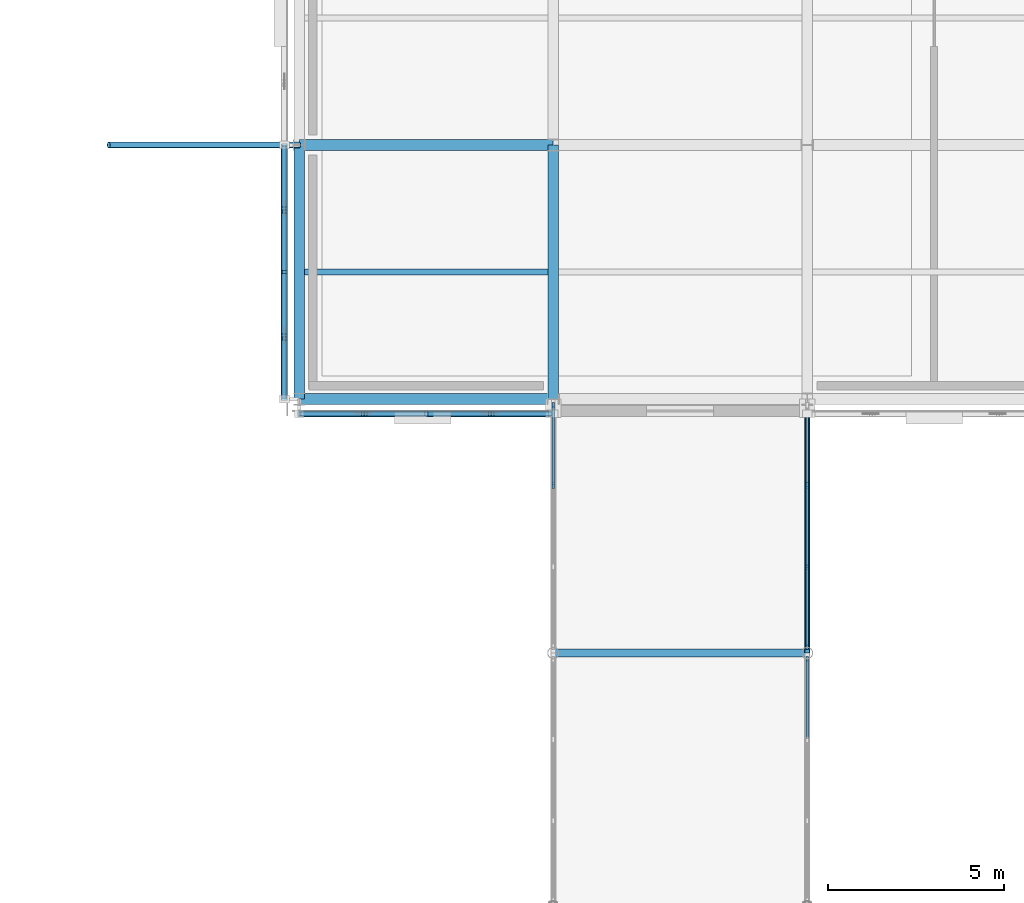
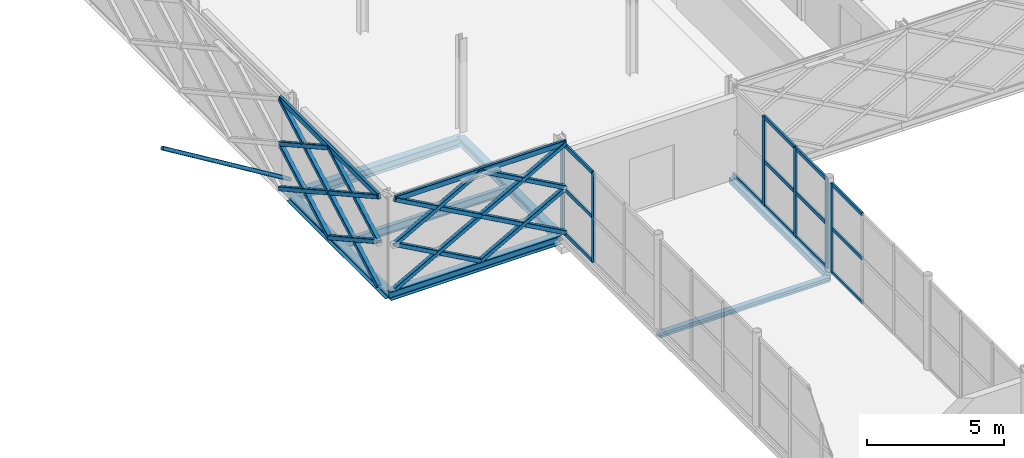
# One storey, part 34 of 146: 46 members, 7 beams, 3 elements without a shape of their own.
"""IFC4 building model written with IfcOpenShell, lengths in metres."""

from ifc_helpers import new_model, si_unit, direction, frame, origin, origin_2d, place, context, subcontext, project, spatial, rectangle, hollow_rectangle, hollow_circle, i_section, extrude, material, material_profile, profile_set, type_object, element, aggregate, save


model = new_model("IFC4")

# Units and contexts
model_context = context("Model", 3, precision=1e-05, world=origin(), true_north=direction((0.0, 1.0)))
body_context = subcontext(model_context, "Body", "Model", "MODEL_VIEW")
ifc_project = project(units=[si_unit("LENGTHUNIT", "METRE"), si_unit("AREAUNIT", "SQUARE_METRE"), si_unit("VOLUMEUNIT", "CUBIC_METRE"), si_unit("PLANEANGLEUNIT", "RADIAN"), si_unit("MASSUNIT", "GRAM", prefix="KILO")], contexts=[model_context])

# Site, building, storey
site_placement = place(None, origin())
site = spatial("IfcSite", under=ifc_project, at=site_placement, CompositionType="ELEMENT")
building_placement = place(site_placement, origin())
building = spatial("IfcBuilding", under=site, at=building_placement, Name="Zlatovets Crest Museum", CompositionType="ELEMENT")
storey_placement = place(building_placement, frame((0.0, 0.0, 4.5)))
storey = spatial("IfcBuildingStorey", under=building, at=storey_placement, Name="L01", CompositionType="ELEMENT", Elevation=4.5)

# Beams
ifc_material_1 = material(Name="Structural steel S355J2", Category="steel")
ifc_material_profile_1 = material_profile(ifc_material_1, i_section(OverallWidth=0.300048828125, OverallDepth=0.389892578125, WebThickness=0.010986328125, FlangeThickness=0.01904296875, FilletRadius=0.027099609375, at=origin_2d()), Name="HEA 400")
ifc_profile_set_1 = profile_set([ifc_material_profile_1], Name="Structural steel S355J2")
beam_type_1 = type_object("IfcBeamType", Name="Beam_B-02", PredefinedType="BEAM", material=ifc_profile_set_1)
for number, where, z_axis, x_axis, name in (
    (1, (7.199951171875, 50.39990234375, -0.4150390625), (1.0, 0.0, 0.0), (0.0, 1.0, 0.0), "V4 L01 Primary Girder B-02"),
    (2, (7.199951171875, 57.60009765625, -0.4150390625), (1.0, 0.0, 0.0), (0.0, 1.0, 0.0), "V4 L01 Primary Girder B-02"),
):
    element("IfcBeam", number, at=place(storey_placement, frame(where, z_axis=z_axis, x_axis=x_axis)), inside=storey, type_object=beam_type_1, Name=name, PredefinedType="BEAM", context=body_context, shape_type="SweptSolid", body=[
        extrude(i_section(OverallWidth=0.300048828125, OverallDepth=0.389892578125, WebThickness=0.010986328125, FlangeThickness=0.01904296875, FilletRadius=0.027099609375, at=origin_2d()), origin(), (0.0, 0.0, 1.0), 7.199951171875),
    ])
ifc_material_profile_2 = material_profile(ifc_material_1, i_section(OverallWidth=0.300048828125, OverallDepth=0.35009765625, WebThickness=0.010009765625, FlangeThickness=0.017578125, FilletRadius=0.027099609375, at=origin_2d()), Name="HEA 360")
ifc_profile_set_2 = profile_set([ifc_material_profile_2], Name="Structural steel S355J2")
beam_type_2 = type_object("IfcBeamType", Name="Beam_B-03", PredefinedType="BEAM", material=ifc_profile_set_2)
for number, where, z_axis, x_axis, name in (
    (3, (7.199951171875, 50.39990234375, -0.39501953125), (0.0, 1.0, 0.0), (-1.0, 0.0, 0.0), "V4 L01 Grid Beam B-03"),
    (4, (14.39990234375, 50.39990234375, -0.39501953125), (0.0, 1.0, 0.0), (-1.0, 0.0, 0.0), "V4 L01 Grid Beam B-03"),
):
    element("IfcBeam", number, at=place(storey_placement, frame(where, z_axis=z_axis, x_axis=x_axis)), inside=storey, type_object=beam_type_2, Name=name, PredefinedType="BEAM", context=body_context, shape_type="SweptSolid", body=[
        extrude(i_section(OverallWidth=0.300048828125, OverallDepth=0.35009765625, WebThickness=0.010009765625, FlangeThickness=0.017578125, FilletRadius=0.027099609375, at=origin_2d()), origin(), (0.0, 0.0, 1.0), 7.2001953125),
    ])
ifc_material_profile_3 = material_profile(ifc_material_1, i_section(OverallWidth=0.219970703125, OverallDepth=0.2099609375, WebThickness=0.007080078125, FlangeThickness=0.010986328125, FilletRadius=0.01806640625, at=origin_2d()), Name="HEA 220")
ifc_profile_set_3 = profile_set([ifc_material_profile_3], Name="Structural steel S355J2")
beam_type_3 = type_object("IfcBeamType", Name="Beam_B-14", PredefinedType="BEAM", material=ifc_profile_set_3)
beam_1_placement = place(storey_placement, frame((14.39990234375, 43.199951171875, -0.35009765625), z_axis=(1.0, 0.0, 0.0), x_axis=(0.0, 1.0, 0.0)))
element("IfcBeam", 5, at=beam_1_placement, inside=storey, type_object=beam_type_3, Name="West Hillside Glazed Link Bridge L01 Cross Beam", PredefinedType="BEAM", context=body_context, shape_type="SweptSolid", body=[
    extrude(i_section(OverallWidth=0.219970703125, OverallDepth=0.2099609375, WebThickness=0.007080078125, FlangeThickness=0.010986328125, FilletRadius=0.01806640625, at=origin_2d()), origin(), (0.0, 0.0, 1.0), 7.2001953125),
])
ifc_material_profile_4 = material_profile(ifc_material_1, hollow_rectangle(XDim=0.159912109375, YDim=0.260009765625, WallThickness=0.010009765625, InnerFilletRadius=0.010009765625, OuterFilletRadius=0.02001953125, at=origin_2d()), Name="RHS 160x260x10.0")
ifc_profile_set_4 = profile_set([ifc_material_profile_4], Name="Structural steel S355J2")
beam_type_4 = type_object("IfcBeamType", Name="Beam_BRG-02", PredefinedType="BEAM", material=ifc_profile_set_4)
beam_2_placement = place(storey_placement, frame((21.60009765625, 43.199951171875, -0.35009765625), z_axis=(0.0, 1.0, 0.0), x_axis=(-1.0, 0.0, 0.0)))
element("IfcBeam", 6, at=beam_2_placement, inside=storey, type_object=beam_type_4, Name="West Hillside Glazed Link Bridge L01 Stringer Beam", PredefinedType="BEAM", context=body_context, shape_type="SweptSolid", body=[
    extrude(hollow_rectangle(XDim=0.159912109375, YDim=0.260009765625, WallThickness=0.010009765625, InnerFilletRadius=0.010009765625, OuterFilletRadius=0.02001953125, at=origin_2d()), origin(), (0.0, 0.0, 1.0), 7.199951171875),
])
ifc_material_profile_5 = material_profile(ifc_material_1, i_section(OverallWidth=0.169921875, OverallDepth=0.360107421875, WebThickness=0.008056640625, FlangeThickness=0.0126953125, FilletRadius=0.01806640625, at=origin_2d()), Name="IPE 360")
ifc_profile_set_5 = profile_set([ifc_material_profile_5], Name="Structural steel S355J2")
beam_type_5 = type_object("IfcBeamType", Name="Beam_J-01", PredefinedType="JOIST", material=ifc_profile_set_5)
beam_3_placement = place(storey_placement, frame((7.35009765625, 54.0, -0.39990234375), z_axis=(1.0, 0.0, 0.0), x_axis=(0.0, 1.0, 0.0)))
element("IfcBeam", 7, at=beam_3_placement, inside=storey, type_object=beam_type_5, Name="V4 L01 Composite Joist J-01", PredefinedType="JOIST", context=body_context, shape_type="SweptSolid", body=[
    extrude(i_section(OverallWidth=0.169921875, OverallDepth=0.360107421875, WebThickness=0.008056640625, FlangeThickness=0.0126953125, FilletRadius=0.01806640625, at=origin_2d()), origin(), (0.0, 0.0, 1.0), 6.89990234375),
])

# Curtain wall, members
ifc_material_2 = material(Name="Bronze-anodised aluminium and low-E triple glass", Category="aluminium")
curtain_wall_type = type_object("IfcCurtainWallType", Name="CW_CW-BR2-L01-S69", PredefinedType="NOTDEFINED", material=ifc_material_2)
curtain_wall_1_placement = place(storey_placement, origin())
curtain_wall_1 = element("IfcCurtainWall", 8, at=curtain_wall_1_placement, inside=storey, type_object=curtain_wall_type, Name="West Hillside Glazed Link Bridge L01 Glazed Bridge Curtain Wall", PredefinedType="NOTDEFINED")
ifc_material_3 = material(Name="Bronze-anodised aluminium EN AW-6060", Category="aluminium")
ifc_material_profile_6 = material_profile(ifc_material_3, rectangle(XDim=0.080078125, YDim=0.159912109375, at=origin_2d()), Name="ALU 80x160")
ifc_profile_set_6 = profile_set([ifc_material_profile_6], Name="Bronze-anodised aluminium EN AW-6060")
member_type_1 = type_object("IfcMemberType", Name="CWMull_M1", PredefinedType="MULLION", material=ifc_profile_set_6)
member_1_placement = place(storey_placement, frame((14.39990234375, 47.949951171875, 0.0), z_axis=(0.0, 0.0, 1.0), x_axis=(-1.0, 0.0, 0.0)))
member_1 = element("IfcMember", 9, at=member_1_placement, type_object=member_type_1, Name="CW-BR2-L01-S69 mullion 3", PredefinedType="MULLION", context=body_context, shape_type="SweptSolid", body=[
    extrude(rectangle(XDim=0.080078125, YDim=0.159912109375, at=origin_2d()), origin(), (0.0, 0.0, 1.0), 3.97998046875),
])
member_2_placement = place(storey_placement, frame((14.39990234375, 50.219970703125, 0.0), z_axis=(0.0, 0.0, 1.0), x_axis=(-1.0, 0.0, 0.0)))
member_2 = element("IfcMember", 10, at=member_2_placement, type_object=member_type_1, Name="CW-BR2-L01-S69 mullion 4", PredefinedType="MULLION", context=body_context, shape_type="SweptSolid", body=[
    extrude(rectangle(XDim=0.080078125, YDim=0.159912109375, at=origin_2d()), origin(), (0.0, 0.0, 1.0), 3.97998046875),
])

# Curtain wall, member
curtain_wall_2_placement = place(storey_placement, origin())
curtain_wall_2 = element("IfcCurtainWall", 11, at=curtain_wall_2_placement, inside=storey, type_object=curtain_wall_type, Name="West Hillside Glazed Link Bridge L01 Glazed Bridge Curtain Wall", PredefinedType="NOTDEFINED")
member_3_placement = place(storey_placement, frame((21.60009765625, 43.02001953125, 0.0), z_axis=(0.0, 0.0, 1.0), x_axis=(-1.0, 0.0, 0.0)))
member_3 = element("IfcMember", 12, at=member_3_placement, type_object=member_type_1, Name="CW-BR2-L01-S69 mullion 4", PredefinedType="MULLION", context=body_context, shape_type="SweptSolid", body=[
    extrude(rectangle(XDim=0.080078125, YDim=0.159912109375, at=origin_2d()), origin(), (0.0, 0.0, 1.0), 3.97998046875),
])

# Curtain wall, members
curtain_wall_3_placement = place(storey_placement, origin())
curtain_wall_3 = element("IfcCurtainWall", 13, at=curtain_wall_3_placement, inside=storey, type_object=curtain_wall_type, Name="West Hillside Glazed Link Bridge L01 Glazed Bridge Curtain Wall", PredefinedType="NOTDEFINED")
member_4_placement = place(storey_placement, frame((21.60009765625, 43.3798828125, 0.0), z_axis=(0.0, 0.0, 1.0), x_axis=(-1.0, 0.0, 0.0)))
member_4 = element("IfcMember", 14, at=member_4_placement, type_object=member_type_1, Name="CW-BR2-L01-S69 mullion 1", PredefinedType="MULLION", context=body_context, shape_type="SweptSolid", body=[
    extrude(rectangle(XDim=0.080078125, YDim=0.159912109375, at=origin_2d()), origin(), (0.0, 0.0, 1.0), 3.97998046875),
])
member_5_placement = place(storey_placement, frame((21.60009765625, 45.64990234375, 0.0), z_axis=(0.0, 0.0, 1.0), x_axis=(-1.0, 0.0, 0.0)))
member_5 = element("IfcMember", 15, at=member_5_placement, type_object=member_type_1, Name="CW-BR2-L01-S69 mullion 2", PredefinedType="MULLION", context=body_context, shape_type="SweptSolid", body=[
    extrude(rectangle(XDim=0.080078125, YDim=0.159912109375, at=origin_2d()), origin(), (0.0, 0.0, 1.0), 3.97998046875),
])
member_6_placement = place(storey_placement, frame((21.60009765625, 47.949951171875, 0.0), z_axis=(0.0, 0.0, 1.0), x_axis=(-1.0, 0.0, 0.0)))
member_6 = element("IfcMember", 16, at=member_6_placement, type_object=member_type_1, Name="CW-BR2-L01-S69 mullion 3", PredefinedType="MULLION", context=body_context, shape_type="SweptSolid", body=[
    extrude(rectangle(XDim=0.080078125, YDim=0.159912109375, at=origin_2d()), origin(), (0.0, 0.0, 1.0), 3.97998046875),
])

# Member
ifc_material_profile_7 = material_profile(ifc_material_3, rectangle(XDim=0.080078125, YDim=0.159912109375, at=origin_2d()), Name="ALU 80x160")
ifc_profile_set_7 = profile_set([ifc_material_profile_7], Name="Bronze-anodised aluminium EN AW-6060")
member_type_2 = type_object("IfcMemberType", Name="CWTrans_T1", PredefinedType="USERDEFINED", material=ifc_profile_set_7)
member_7_placement = place(storey_placement, frame((14.39990234375, 47.97998046875, 0.030029296875), z_axis=(0.0, 1.0, 0.0), x_axis=(-1.0, 0.0, 0.0)))
member_7 = element("IfcMember", 17, at=member_7_placement, type_object=member_type_2, Name="CW-BR2-L01-S69 transom 3.1", ObjectType="TRANSOM", PredefinedType="USERDEFINED", context=body_context, shape_type="SweptSolid", body=[
    extrude(rectangle(XDim=0.080078125, YDim=0.159912109375, at=origin_2d()), origin(), (0.0, 0.0, 1.0), 2.2099609375),
])

member_8_placement = place(storey_placement, frame((14.39990234375, 47.97998046875, 1.989990234375), z_axis=(0.0, 1.0, 0.0), x_axis=(-1.0, 0.0, 0.0)))
member_8 = element("IfcMember", 18, at=member_8_placement, type_object=member_type_2, Name="CW-BR2-L01-S69 transom 3.2", ObjectType="TRANSOM", PredefinedType="USERDEFINED", context=body_context, shape_type="SweptSolid", body=[
    extrude(rectangle(XDim=0.080078125, YDim=0.159912109375, at=origin_2d()), origin(), (0.0, 0.0, 1.0), 2.2099609375),
])

member_9_placement = place(storey_placement, frame((14.39990234375, 47.97998046875, 3.949951171875), z_axis=(0.0, 1.0, 0.0), x_axis=(-1.0, 0.0, 0.0)))
member_9 = element("IfcMember", 19, at=member_9_placement, type_object=member_type_2, Name="CW-BR2-L01-S69 transom 3.3", ObjectType="TRANSOM", PredefinedType="USERDEFINED", context=body_context, shape_type="SweptSolid", body=[
    extrude(rectangle(XDim=0.080078125, YDim=0.159912109375, at=origin_2d()), origin(), (0.0, 0.0, 1.0), 2.2099609375),
])

aggregate(curtain_wall_1, [member_1, member_2, member_7, member_8, member_9])

member_10_placement = place(storey_placement, frame((21.60009765625, 40.780029296875, 0.030029296875), z_axis=(0.0, 1.0, 0.0), x_axis=(-1.0, 0.0, 0.0)))
member_10 = element("IfcMember", 20, at=member_10_placement, type_object=member_type_2, Name="CW-BR2-L01-S69 transom 3.1", ObjectType="TRANSOM", PredefinedType="USERDEFINED", context=body_context, shape_type="SweptSolid", body=[
    extrude(rectangle(XDim=0.080078125, YDim=0.159912109375, at=origin_2d()), origin(), (0.0, 0.0, 1.0), 2.2099609375),
])

member_11_placement = place(storey_placement, frame((21.60009765625, 40.780029296875, 1.989990234375), z_axis=(0.0, 1.0, 0.0), x_axis=(-1.0, 0.0, 0.0)))
member_11 = element("IfcMember", 21, at=member_11_placement, type_object=member_type_2, Name="CW-BR2-L01-S69 transom 3.2", ObjectType="TRANSOM", PredefinedType="USERDEFINED", context=body_context, shape_type="SweptSolid", body=[
    extrude(rectangle(XDim=0.080078125, YDim=0.159912109375, at=origin_2d()), origin(), (0.0, 0.0, 1.0), 2.2099609375),
])

member_12_placement = place(storey_placement, frame((21.60009765625, 40.780029296875, 3.949951171875), z_axis=(0.0, 1.0, 0.0), x_axis=(-1.0, 0.0, 0.0)))
member_12 = element("IfcMember", 22, at=member_12_placement, type_object=member_type_2, Name="CW-BR2-L01-S69 transom 3.3", ObjectType="TRANSOM", PredefinedType="USERDEFINED", context=body_context, shape_type="SweptSolid", body=[
    extrude(rectangle(XDim=0.080078125, YDim=0.159912109375, at=origin_2d()), origin(), (0.0, 0.0, 1.0), 2.2099609375),
])

aggregate(curtain_wall_2, [member_3, member_10, member_11, member_12])

member_13_placement = place(storey_placement, frame((21.60009765625, 43.409912109375, 0.030029296875), z_axis=(0.0, 1.0, 0.0), x_axis=(-1.0, 0.0, 0.0)))
member_13 = element("IfcMember", 23, at=member_13_placement, type_object=member_type_2, Name="CW-BR2-L01-S69 transom 1.1", ObjectType="TRANSOM", PredefinedType="USERDEFINED", context=body_context, shape_type="SweptSolid", body=[
    extrude(rectangle(XDim=0.080078125, YDim=0.159912109375, at=origin_2d()), origin(), (0.0, 0.0, 1.0), 2.210205078125),
])

member_14_placement = place(storey_placement, frame((21.60009765625, 43.409912109375, 1.989990234375), z_axis=(0.0, 1.0, 0.0), x_axis=(-1.0, 0.0, 0.0)))
member_14 = element("IfcMember", 24, at=member_14_placement, type_object=member_type_2, Name="CW-BR2-L01-S69 transom 1.2", ObjectType="TRANSOM", PredefinedType="USERDEFINED", context=body_context, shape_type="SweptSolid", body=[
    extrude(rectangle(XDim=0.080078125, YDim=0.159912109375, at=origin_2d()), origin(), (0.0, 0.0, 1.0), 2.210205078125),
])

member_15_placement = place(storey_placement, frame((21.60009765625, 43.409912109375, 3.949951171875), z_axis=(0.0, 1.0, 0.0), x_axis=(-1.0, 0.0, 0.0)))
member_15 = element("IfcMember", 25, at=member_15_placement, type_object=member_type_2, Name="CW-BR2-L01-S69 transom 1.3", ObjectType="TRANSOM", PredefinedType="USERDEFINED", context=body_context, shape_type="SweptSolid", body=[
    extrude(rectangle(XDim=0.080078125, YDim=0.159912109375, at=origin_2d()), origin(), (0.0, 0.0, 1.0), 2.210205078125),
])

member_16_placement = place(storey_placement, frame((21.60009765625, 45.679931640625, 0.030029296875), z_axis=(0.0, 1.0, 0.0), x_axis=(-1.0, 0.0, 0.0)))
member_16 = element("IfcMember", 26, at=member_16_placement, type_object=member_type_2, Name="CW-BR2-L01-S69 transom 2.1", ObjectType="TRANSOM", PredefinedType="USERDEFINED", context=body_context, shape_type="SweptSolid", body=[
    extrude(rectangle(XDim=0.080078125, YDim=0.159912109375, at=origin_2d()), origin(), (0.0, 0.0, 1.0), 2.239990234375),
])

member_17_placement = place(storey_placement, frame((21.60009765625, 45.679931640625, 1.989990234375), z_axis=(0.0, 1.0, 0.0), x_axis=(-1.0, 0.0, 0.0)))
member_17 = element("IfcMember", 27, at=member_17_placement, type_object=member_type_2, Name="CW-BR2-L01-S69 transom 2.2", ObjectType="TRANSOM", PredefinedType="USERDEFINED", context=body_context, shape_type="SweptSolid", body=[
    extrude(rectangle(XDim=0.080078125, YDim=0.159912109375, at=origin_2d()), origin(), (0.0, 0.0, 1.0), 2.239990234375),
])

member_18_placement = place(storey_placement, frame((21.60009765625, 45.679931640625, 3.949951171875), z_axis=(0.0, 1.0, 0.0), x_axis=(-1.0, 0.0, 0.0)))
member_18 = element("IfcMember", 28, at=member_18_placement, type_object=member_type_2, Name="CW-BR2-L01-S69 transom 2.3", ObjectType="TRANSOM", PredefinedType="USERDEFINED", context=body_context, shape_type="SweptSolid", body=[
    extrude(rectangle(XDim=0.080078125, YDim=0.159912109375, at=origin_2d()), origin(), (0.0, 0.0, 1.0), 2.239990234375),
])

member_19_placement = place(storey_placement, frame((21.60009765625, 47.97998046875, 0.030029296875), z_axis=(0.0, 1.0, 0.0), x_axis=(-1.0, 0.0, 0.0)))
member_19 = element("IfcMember", 29, at=member_19_placement, type_object=member_type_2, Name="CW-BR2-L01-S69 transom 3.1", ObjectType="TRANSOM", PredefinedType="USERDEFINED", context=body_context, shape_type="SweptSolid", body=[
    extrude(rectangle(XDim=0.080078125, YDim=0.159912109375, at=origin_2d()), origin(), (0.0, 0.0, 1.0), 2.2099609375),
])

aggregate(curtain_wall_3, [member_4, member_5, member_6, member_13, member_14, member_15, member_16, member_17, member_18, member_19])

# Members
ifc_material_4 = material(Name="Weathering bronze-steel S355J2W", Category="steel")
ifc_material_profile_8 = material_profile(ifc_material_4, hollow_rectangle(XDim=0.179931640625, YDim=0.179931640625, WallThickness=0.010009765625, InnerFilletRadius=0.010009765625, OuterFilletRadius=0.02001953125, at=origin_2d()), Name="SHS 180x180x10.0")
ifc_profile_set_8 = profile_set([ifc_material_profile_8], Name="Weathering bronze-steel S355J2W")
member_type_3 = type_object("IfcMemberType", Name="Lattice_XL-01", PredefinedType="BRACE", material=ifc_profile_set_8)
member_20_placement = place(storey_placement, frame((7.199951171875, 49.97998046875, 0.10009765625), z_axis=(0.874162868644, 0.0, 0.485632864501), x_axis=(0.0, 1.0, 0.0)))
element("IfcMember", 30, at=member_20_placement, inside=storey, type_object=member_type_3, Name="Continuous Bronze Lattice Diagonal", PredefinedType="BRACE", context=body_context, shape_type="SweptSolid", body=[
    extrude(hollow_rectangle(XDim=0.179931640625, YDim=0.179931640625, WallThickness=0.010009765625, InnerFilletRadius=0.010009765625, OuterFilletRadius=0.02001953125, at=origin_2d()), origin(), (0.0, 0.0, 1.0), 4.118408203125),
])
member_21_placement = place(storey_placement, frame((7.199951171875, 49.97998046875, 2.10009765625), z_axis=(0.874116234569, 0.0, -0.48571679862), x_axis=(0.0, 1.0, 0.0)))
element("IfcMember", 31, at=member_21_placement, inside=storey, type_object=member_type_3, Name="Split Crossing Bronze Lattice Diagonal Upper", PredefinedType="BRACE", context=body_context, shape_type="SweptSolid", body=[
    extrude(hollow_rectangle(XDim=0.179931640625, YDim=0.179931640625, WallThickness=0.010009765625, InnerFilletRadius=0.010009765625, OuterFilletRadius=0.02001953125, at=origin_2d()), origin(), (0.0, 0.0, 1.0), 1.96435546875),
])
member_22_placement = place(storey_placement, frame((9.0830078125, 49.97998046875, 1.053955078125), z_axis=(0.874169001841, 0.0, -0.485621824284), x_axis=(0.0, 1.0, 0.0)))
element("IfcMember", 32, at=member_22_placement, inside=storey, type_object=member_type_3, Name="Split Crossing Bronze Lattice Diagonal Lower", PredefinedType="BRACE", context=body_context, shape_type="SweptSolid", body=[
    extrude(hollow_rectangle(XDim=0.179931640625, YDim=0.179931640625, WallThickness=0.010009765625, InnerFilletRadius=0.010009765625, OuterFilletRadius=0.02001953125, at=origin_2d()), origin(), (0.0, 0.0, 1.0), 1.964111328125),
])
member_23_placement = place(storey_placement, frame((10.800048828125, 49.97998046875, 0.10009765625), z_axis=(0.874148886685, 0.0, 0.485658031857), x_axis=(0.0, 1.0, 0.0)))
element("IfcMember", 33, at=member_23_placement, inside=storey, type_object=member_type_3, Name="Continuous Bronze Lattice Diagonal", PredefinedType="BRACE", context=body_context, shape_type="SweptSolid", body=[
    extrude(hollow_rectangle(XDim=0.179931640625, YDim=0.179931640625, WallThickness=0.010009765625, InnerFilletRadius=0.010009765625, OuterFilletRadius=0.02001953125, at=origin_2d()), origin(), (0.0, 0.0, 1.0), 4.1181640625),
])
member_24_placement = place(storey_placement, frame((10.800048828125, 49.97998046875, 2.10009765625), z_axis=(0.874116234569, 0.0, -0.48571679862), x_axis=(0.0, 1.0, 0.0)))
element("IfcMember", 34, at=member_24_placement, inside=storey, type_object=member_type_3, Name="Split Crossing Bronze Lattice Diagonal Upper", PredefinedType="BRACE", context=body_context, shape_type="SweptSolid", body=[
    extrude(hollow_rectangle(XDim=0.179931640625, YDim=0.179931640625, WallThickness=0.010009765625, InnerFilletRadius=0.010009765625, OuterFilletRadius=0.02001953125, at=origin_2d()), origin(), (0.0, 0.0, 1.0), 1.96435546875),
])
member_25_placement = place(storey_placement, frame((12.68310546875, 49.97998046875, 1.053955078125), z_axis=(0.874139684676, 0.0, -0.48567459443), x_axis=(0.0, 1.0, 0.0)))
element("IfcMember", 35, at=member_25_placement, inside=storey, type_object=member_type_3, Name="Split Crossing Bronze Lattice Diagonal Lower", PredefinedType="BRACE", context=body_context, shape_type="SweptSolid", body=[
    extrude(hollow_rectangle(XDim=0.179931640625, YDim=0.179931640625, WallThickness=0.010009765625, InnerFilletRadius=0.010009765625, OuterFilletRadius=0.02001953125, at=origin_2d()), origin(), (0.0, 0.0, 1.0), 1.9638671875),
])
member_26_placement = place(storey_placement, frame((7.199951171875, 49.97998046875, 2.10009765625), z_axis=(0.874162868644, 0.0, 0.485632864501), x_axis=(0.0, 1.0, 0.0)))
element("IfcMember", 36, at=member_26_placement, inside=storey, type_object=member_type_3, Name="Continuous Bronze Lattice Diagonal", PredefinedType="BRACE", context=body_context, shape_type="SweptSolid", body=[
    extrude(hollow_rectangle(XDim=0.179931640625, YDim=0.179931640625, WallThickness=0.010009765625, InnerFilletRadius=0.010009765625, OuterFilletRadius=0.02001953125, at=origin_2d()), origin(), (0.0, 0.0, 1.0), 4.118408203125),
])
member_27_placement = place(storey_placement, frame((7.199951171875, 49.97998046875, 4.10009765625), z_axis=(0.874116234569, 0.0, -0.48571679862), x_axis=(0.0, 1.0, 0.0)))
element("IfcMember", 37, at=member_27_placement, inside=storey, type_object=member_type_3, Name="Split Crossing Bronze Lattice Diagonal Upper", PredefinedType="BRACE", context=body_context, shape_type="SweptSolid", body=[
    extrude(hollow_rectangle(XDim=0.179931640625, YDim=0.179931640625, WallThickness=0.010009765625, InnerFilletRadius=0.010009765625, OuterFilletRadius=0.02001953125, at=origin_2d()), origin(), (0.0, 0.0, 1.0), 1.96435546875),
])
member_28_placement = place(storey_placement, frame((9.0830078125, 49.97998046875, 3.053955078125), z_axis=(0.874169001841, 0.0, -0.485621824284), x_axis=(0.0, 1.0, 0.0)))
element("IfcMember", 38, at=member_28_placement, inside=storey, type_object=member_type_3, Name="Split Crossing Bronze Lattice Diagonal Lower", PredefinedType="BRACE", context=body_context, shape_type="SweptSolid", body=[
    extrude(hollow_rectangle(XDim=0.179931640625, YDim=0.179931640625, WallThickness=0.010009765625, InnerFilletRadius=0.010009765625, OuterFilletRadius=0.02001953125, at=origin_2d()), origin(), (0.0, 0.0, 1.0), 1.964111328125),
])
member_29_placement = place(storey_placement, frame((10.800048828125, 49.97998046875, 2.10009765625), z_axis=(0.874148886685, 0.0, 0.485658031857), x_axis=(0.0, 1.0, 0.0)))
element("IfcMember", 39, at=member_29_placement, inside=storey, type_object=member_type_3, Name="Continuous Bronze Lattice Diagonal", PredefinedType="BRACE", context=body_context, shape_type="SweptSolid", body=[
    extrude(hollow_rectangle(XDim=0.179931640625, YDim=0.179931640625, WallThickness=0.010009765625, InnerFilletRadius=0.010009765625, OuterFilletRadius=0.02001953125, at=origin_2d()), origin(), (0.0, 0.0, 1.0), 4.1181640625),
])
member_30_placement = place(storey_placement, frame((10.800048828125, 49.97998046875, 4.10009765625), z_axis=(0.874116234569, 0.0, -0.48571679862), x_axis=(0.0, 1.0, 0.0)))
element("IfcMember", 40, at=member_30_placement, inside=storey, type_object=member_type_3, Name="Split Crossing Bronze Lattice Diagonal Upper", PredefinedType="BRACE", context=body_context, shape_type="SweptSolid", body=[
    extrude(hollow_rectangle(XDim=0.179931640625, YDim=0.179931640625, WallThickness=0.010009765625, InnerFilletRadius=0.010009765625, OuterFilletRadius=0.02001953125, at=origin_2d()), origin(), (0.0, 0.0, 1.0), 1.96435546875),
])
member_31_placement = place(storey_placement, frame((12.68310546875, 49.97998046875, 3.053955078125), z_axis=(0.874139684676, 0.0, -0.48567459443), x_axis=(0.0, 1.0, 0.0)))
element("IfcMember", 41, at=member_31_placement, inside=storey, type_object=member_type_3, Name="Split Crossing Bronze Lattice Diagonal Lower", PredefinedType="BRACE", context=body_context, shape_type="SweptSolid", body=[
    extrude(hollow_rectangle(XDim=0.179931640625, YDim=0.179931640625, WallThickness=0.010009765625, InnerFilletRadius=0.010009765625, OuterFilletRadius=0.02001953125, at=origin_2d()), origin(), (0.0, 0.0, 1.0), 1.9638671875),
])
member_32_placement = place(storey_placement, frame((6.780029296875, 57.60009765625, 0.10009765625), z_axis=(0.0, -0.874162868644, 0.485632864501), x_axis=(1.0, 0.0, 0.0)))
element("IfcMember", 42, at=member_32_placement, inside=storey, type_object=member_type_3, Name="Continuous Bronze Lattice Diagonal", PredefinedType="BRACE", context=body_context, shape_type="SweptSolid", body=[
    extrude(hollow_rectangle(XDim=0.179931640625, YDim=0.179931640625, WallThickness=0.010009765625, InnerFilletRadius=0.010009765625, OuterFilletRadius=0.02001953125, at=origin_2d()), origin(), (0.0, 0.0, 1.0), 4.118408203125),
])
member_33_placement = place(storey_placement, frame((6.780029296875, 57.60009765625, 2.10009765625), z_axis=(0.0, -0.874116234569, -0.48571679862), x_axis=(1.0, 0.0, 0.0)))
element("IfcMember", 43, at=member_33_placement, inside=storey, type_object=member_type_3, Name="Split Crossing Bronze Lattice Diagonal Upper", PredefinedType="BRACE", context=body_context, shape_type="SweptSolid", body=[
    extrude(hollow_rectangle(XDim=0.179931640625, YDim=0.179931640625, WallThickness=0.010009765625, InnerFilletRadius=0.010009765625, OuterFilletRadius=0.02001953125, at=origin_2d()), origin(), (0.0, 0.0, 1.0), 1.96435546875),
])
member_34_placement = place(storey_placement, frame((6.780029296875, 55.717041015625, 1.053955078125), z_axis=(0.0, -0.874169001841, -0.485621824284), x_axis=(1.0, 0.0, 0.0)))
element("IfcMember", 44, at=member_34_placement, inside=storey, type_object=member_type_3, Name="Split Crossing Bronze Lattice Diagonal Lower", PredefinedType="BRACE", context=body_context, shape_type="SweptSolid", body=[
    extrude(hollow_rectangle(XDim=0.179931640625, YDim=0.179931640625, WallThickness=0.010009765625, InnerFilletRadius=0.010009765625, OuterFilletRadius=0.02001953125, at=origin_2d()), origin(), (0.0, 0.0, 1.0), 1.964111328125),
])
member_35_placement = place(storey_placement, frame((6.780029296875, 54.0, 0.10009765625), z_axis=(0.0, -0.874162868644, 0.485632864501), x_axis=(1.0, 0.0, 0.0)))
element("IfcMember", 45, at=member_35_placement, inside=storey, type_object=member_type_3, Name="Continuous Bronze Lattice Diagonal", PredefinedType="BRACE", context=body_context, shape_type="SweptSolid", body=[
    extrude(hollow_rectangle(XDim=0.179931640625, YDim=0.179931640625, WallThickness=0.010009765625, InnerFilletRadius=0.010009765625, OuterFilletRadius=0.02001953125, at=origin_2d()), origin(), (0.0, 0.0, 1.0), 4.118408203125),
])
member_36_placement = place(storey_placement, frame((6.780029296875, 54.0, 2.10009765625), z_axis=(0.0, -0.874116234569, -0.48571679862), x_axis=(1.0, 0.0, 0.0)))
element("IfcMember", 46, at=member_36_placement, inside=storey, type_object=member_type_3, Name="Split Crossing Bronze Lattice Diagonal Upper", PredefinedType="BRACE", context=body_context, shape_type="SweptSolid", body=[
    extrude(hollow_rectangle(XDim=0.179931640625, YDim=0.179931640625, WallThickness=0.010009765625, InnerFilletRadius=0.010009765625, OuterFilletRadius=0.02001953125, at=origin_2d()), origin(), (0.0, 0.0, 1.0), 1.96435546875),
])
member_37_placement = place(storey_placement, frame((6.780029296875, 52.116943359375, 1.053955078125), z_axis=(0.0, -0.874169001841, -0.485621824284), x_axis=(1.0, 0.0, 0.0)))
element("IfcMember", 47, at=member_37_placement, inside=storey, type_object=member_type_3, Name="Split Crossing Bronze Lattice Diagonal Lower", PredefinedType="BRACE", context=body_context, shape_type="SweptSolid", body=[
    extrude(hollow_rectangle(XDim=0.179931640625, YDim=0.179931640625, WallThickness=0.010009765625, InnerFilletRadius=0.010009765625, OuterFilletRadius=0.02001953125, at=origin_2d()), origin(), (0.0, 0.0, 1.0), 1.964111328125),
])
member_38_placement = place(storey_placement, frame((6.780029296875, 57.60009765625, 2.10009765625), z_axis=(0.0, -0.874162868644, 0.485632864501), x_axis=(1.0, 0.0, 0.0)))
element("IfcMember", 48, at=member_38_placement, inside=storey, type_object=member_type_3, Name="Continuous Bronze Lattice Diagonal", PredefinedType="BRACE", context=body_context, shape_type="SweptSolid", body=[
    extrude(hollow_rectangle(XDim=0.179931640625, YDim=0.179931640625, WallThickness=0.010009765625, InnerFilletRadius=0.010009765625, OuterFilletRadius=0.02001953125, at=origin_2d()), origin(), (0.0, 0.0, 1.0), 4.118408203125),
])
member_39_placement = place(storey_placement, frame((6.780029296875, 57.60009765625, 4.10009765625), z_axis=(0.0, -0.874116234569, -0.48571679862), x_axis=(1.0, 0.0, 0.0)))
element("IfcMember", 49, at=member_39_placement, inside=storey, type_object=member_type_3, Name="Split Crossing Bronze Lattice Diagonal Upper", PredefinedType="BRACE", context=body_context, shape_type="SweptSolid", body=[
    extrude(hollow_rectangle(XDim=0.179931640625, YDim=0.179931640625, WallThickness=0.010009765625, InnerFilletRadius=0.010009765625, OuterFilletRadius=0.02001953125, at=origin_2d()), origin(), (0.0, 0.0, 1.0), 1.96435546875),
])
member_40_placement = place(storey_placement, frame((6.780029296875, 55.717041015625, 3.053955078125), z_axis=(0.0, -0.874169001841, -0.485621824284), x_axis=(1.0, 0.0, 0.0)))
element("IfcMember", 50, at=member_40_placement, inside=storey, type_object=member_type_3, Name="Split Crossing Bronze Lattice Diagonal Lower", PredefinedType="BRACE", context=body_context, shape_type="SweptSolid", body=[
    extrude(hollow_rectangle(XDim=0.179931640625, YDim=0.179931640625, WallThickness=0.010009765625, InnerFilletRadius=0.010009765625, OuterFilletRadius=0.02001953125, at=origin_2d()), origin(), (0.0, 0.0, 1.0), 1.964111328125),
])
member_41_placement = place(storey_placement, frame((6.780029296875, 54.0, 2.10009765625), z_axis=(0.0, -0.874162868644, 0.485632864501), x_axis=(1.0, 0.0, 0.0)))
element("IfcMember", 51, at=member_41_placement, inside=storey, type_object=member_type_3, Name="Continuous Bronze Lattice Diagonal", PredefinedType="BRACE", context=body_context, shape_type="SweptSolid", body=[
    extrude(hollow_rectangle(XDim=0.179931640625, YDim=0.179931640625, WallThickness=0.010009765625, InnerFilletRadius=0.010009765625, OuterFilletRadius=0.02001953125, at=origin_2d()), origin(), (0.0, 0.0, 1.0), 4.118408203125),
])
member_42_placement = place(storey_placement, frame((6.780029296875, 54.0, 4.10009765625), z_axis=(0.0, -0.874116234569, -0.48571679862), x_axis=(1.0, 0.0, 0.0)))
element("IfcMember", 52, at=member_42_placement, inside=storey, type_object=member_type_3, Name="Split Crossing Bronze Lattice Diagonal Upper", PredefinedType="BRACE", context=body_context, shape_type="SweptSolid", body=[
    extrude(hollow_rectangle(XDim=0.179931640625, YDim=0.179931640625, WallThickness=0.010009765625, InnerFilletRadius=0.010009765625, OuterFilletRadius=0.02001953125, at=origin_2d()), origin(), (0.0, 0.0, 1.0), 1.96435546875),
])
member_43_placement = place(storey_placement, frame((6.780029296875, 52.116943359375, 3.053955078125), z_axis=(0.0, -0.874169001841, -0.485621824284), x_axis=(1.0, 0.0, 0.0)))
element("IfcMember", 53, at=member_43_placement, inside=storey, type_object=member_type_3, Name="Split Crossing Bronze Lattice Diagonal Lower", PredefinedType="BRACE", context=body_context, shape_type="SweptSolid", body=[
    extrude(hollow_rectangle(XDim=0.179931640625, YDim=0.179931640625, WallThickness=0.010009765625, InnerFilletRadius=0.010009765625, OuterFilletRadius=0.02001953125, at=origin_2d()), origin(), (0.0, 0.0, 1.0), 1.964111328125),
])
ifc_material_profile_9 = material_profile(ifc_material_4, hollow_rectangle(XDim=0.1201171875, YDim=0.239990234375, WallThickness=0.010009765625, InnerFilletRadius=0.010009765625, OuterFilletRadius=0.02001953125, at=origin_2d()), Name="RHS 120x240x10.0")
ifc_profile_set_9 = profile_set([ifc_material_profile_9], Name="Weathering bronze-steel S355J2W")
member_type_4 = type_object("IfcMemberType", Name="Lattice_XL-04", PredefinedType="CHORD", material=ifc_profile_set_9)
member_44_placement = place(storey_placement, frame((7.199951171875, 49.97998046875, 4.10009765625), z_axis=(1.0, 0.0, 0.0), x_axis=(0.0, 1.0, 0.0)))
element("IfcMember", 54, at=member_44_placement, inside=storey, type_object=member_type_4, Name="Art Nouveau Woven Cage Collector Ring Chord", PredefinedType="CHORD", context=body_context, shape_type="SweptSolid", body=[
    extrude(hollow_rectangle(XDim=0.1201171875, YDim=0.239990234375, WallThickness=0.010009765625, InnerFilletRadius=0.010009765625, OuterFilletRadius=0.02001953125, at=origin_2d()), origin(), (0.0, 0.0, 1.0), 7.199951171875),
])
member_45_placement = place(storey_placement, frame((6.780029296875, 57.60009765625, 4.10009765625), z_axis=(0.0, -1.0, 0.0), x_axis=(1.0, 0.0, 0.0)))
element("IfcMember", 55, at=member_45_placement, inside=storey, type_object=member_type_4, Name="Art Nouveau Woven Cage Collector Ring Chord", PredefinedType="CHORD", context=body_context, shape_type="SweptSolid", body=[
    extrude(hollow_rectangle(XDim=0.1201171875, YDim=0.239990234375, WallThickness=0.010009765625, InnerFilletRadius=0.010009765625, OuterFilletRadius=0.02001953125, at=origin_2d()), origin(), (0.0, 0.0, 1.0), 7.2001953125),
])
ifc_material_profile_10 = material_profile(ifc_material_1, hollow_circle(Radius=0.084228515625, WallThickness=0.008056640625, at=origin_2d()), Name="CHS 168.3x8.0")
ifc_profile_set_10 = profile_set([ifc_material_profile_10], Name="Structural steel S355J2")
member_type_5 = type_object("IfcMemberType", Name="Member_TM-06", PredefinedType="PURLIN", material=ifc_profile_set_10)
member_46_placement = place(storey_placement, frame((7.199951171875, 57.60009765625, 0.35009765625), z_axis=(-0.854698116657, 0.0, 0.519125350356), x_axis=(0.0, -1.0, 0.0)))
element("IfcMember", 56, at=member_46_placement, inside=storey, type_object=member_type_5, Name="Cantilever Gallery Sculptural Raking Strut 1", PredefinedType="PURLIN", context=body_context, shape_type="SweptSolid", body=[
    extrude(hollow_circle(Radius=0.084228515625, WallThickness=0.008056640625, at=origin_2d()), origin(), (0.0, 0.0, 1.0), 6.31787109375),
])

save(model, "model.ifc")
